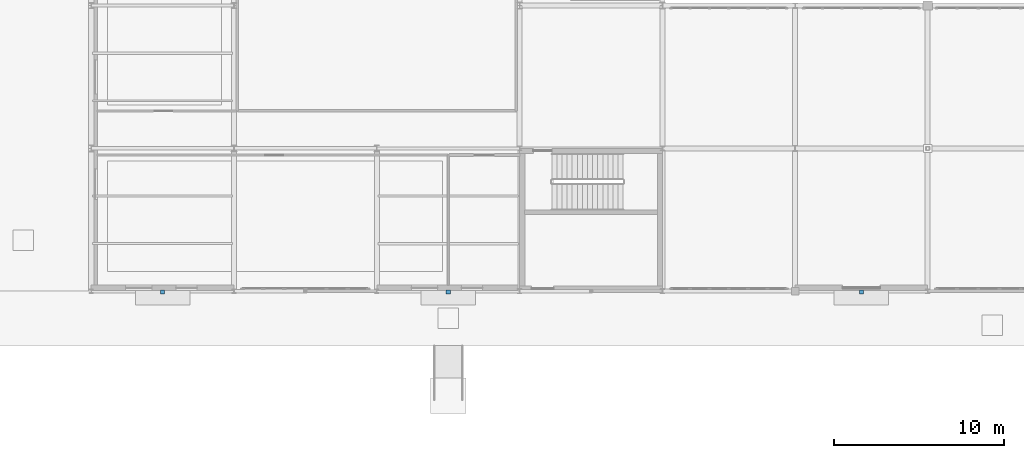
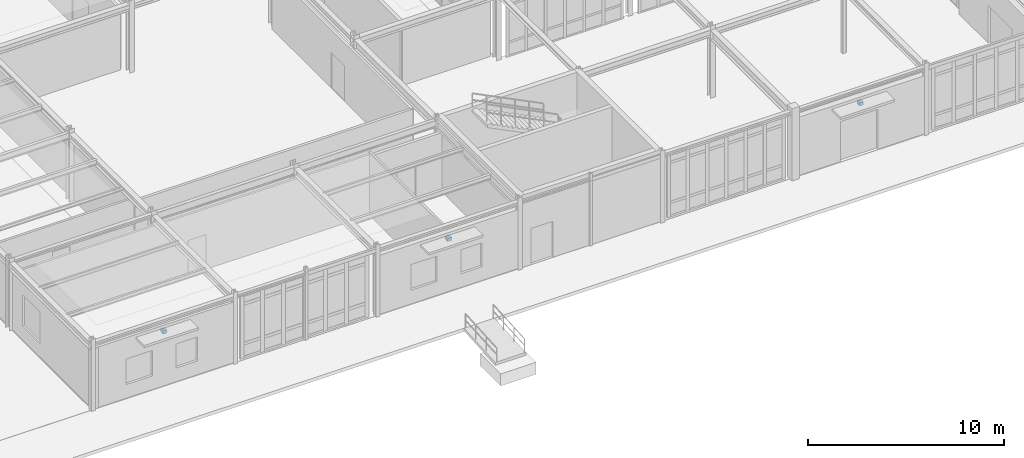
# One storey, part 90 of 101: 3 discrete accessories.
"""IFC4 building model written with IfcOpenShell, lengths in metres."""

from ifc_helpers import new_model, si_unit, derived_unit, direction, frame, origin, origin_2d, place, context, subcontext, project, spatial, rectangle, extrude, material, type_object, element, save


model = new_model("IFC4")

# Units and contexts
model_context = context("Model", 3, precision=1e-05, world=origin(), true_north=direction((0.0, 1.0)))
body_context = subcontext(model_context, "Body", "Model", "MODEL_VIEW")
ifc_project = project(units=[si_unit("LENGTHUNIT", "METRE"), si_unit("AREAUNIT", "SQUARE_METRE"), si_unit("VOLUMEUNIT", "CUBIC_METRE"), si_unit("PLANEANGLEUNIT", "RADIAN"), si_unit("MASSUNIT", "GRAM", prefix="KILO"), derived_unit("THERMALTRANSMITTANCEUNIT", [(si_unit("POWERUNIT", "WATT"), 1), (si_unit("AREAUNIT", "SQUARE_METRE"), -1), (si_unit("THERMODYNAMICTEMPERATUREUNIT", "KELVIN"), -1)])], contexts=[model_context])

# Site, building, storey
site_placement = place(None, origin())
site = spatial("IfcSite", under=ifc_project, at=site_placement, CompositionType="ELEMENT")
building_placement = place(site_placement, origin())
building = spatial("IfcBuilding", under=site, at=building_placement, Name="Yasenodar Specialist Clinic", CompositionType="ELEMENT")
storey_placement = place(building_placement, origin())
storey = spatial("IfcBuildingStorey", under=building, at=storey_placement, Name="L00", CompositionType="ELEMENT", Elevation=0.0)

# Discrete accessories
ifc_material = material(Name="Steel S355", Category="steel")
discrete_accessory_type = type_object("IfcDiscreteAccessoryType", Name="ACC-BRK-CHJ", PredefinedType="BRACKET", material=ifc_material)
for number, where, z_axis, x_axis, name in (
    (1, (150.300048828125, -0.050048828125, 3.23779296875), (0.0, 0.0, 1.0), (-1.0, 0.0, 0.0), "L00 Sunshade Fixing Bracket 0445"),
    (2, (126.0, -0.050048828125, 3.2880859375), (0.0, 0.0, 1.0), (-1.0, 0.0, 0.0), "L00 Sunshade Fixing Bracket 0446"),
    (3, (109.199951171875, -0.050048828125, 3.38818359375), (0.0, 0.0, 1.0), (-1.0, 0.0, 0.0), "L00 Sunshade Fixing Bracket 0447"),
):
    element("IfcDiscreteAccessory", number, at=place(storey_placement, frame(where, z_axis=z_axis, x_axis=x_axis)), inside=storey, type_object=discrete_accessory_type, Name=name, PredefinedType="BRACKET", context=body_context, shape_type="SweptSolid", body=[
        extrude(rectangle(XDim=0.239990234375, YDim=0.260009765625, at=origin_2d()), origin(), (0.0, 0.0, 1.0), 0.199951171875),
    ])

save(model, "model.ifc")
